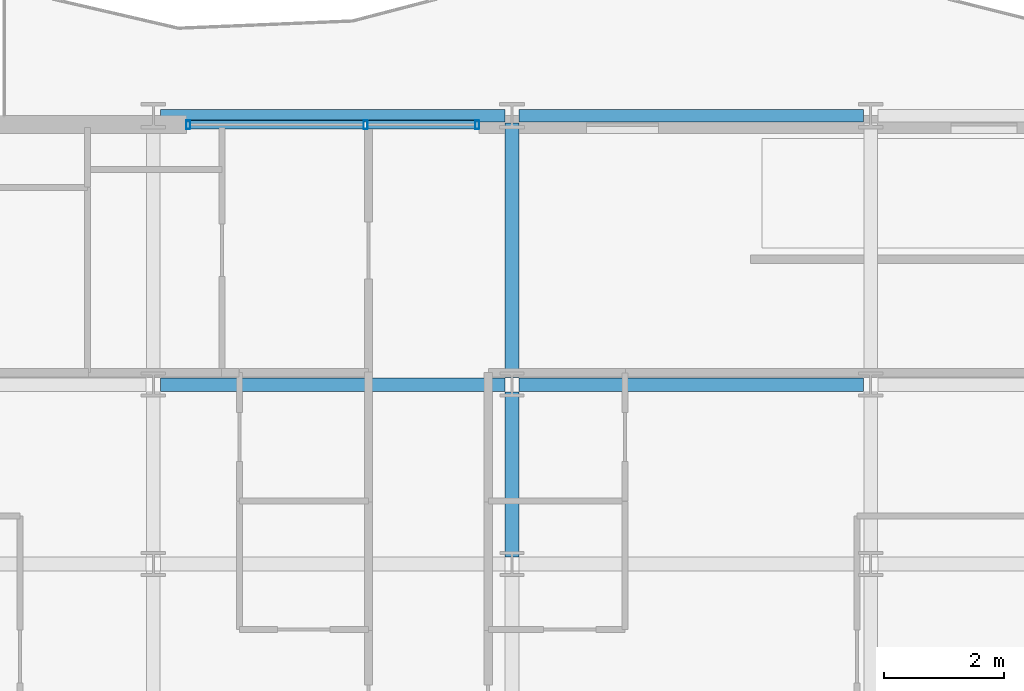
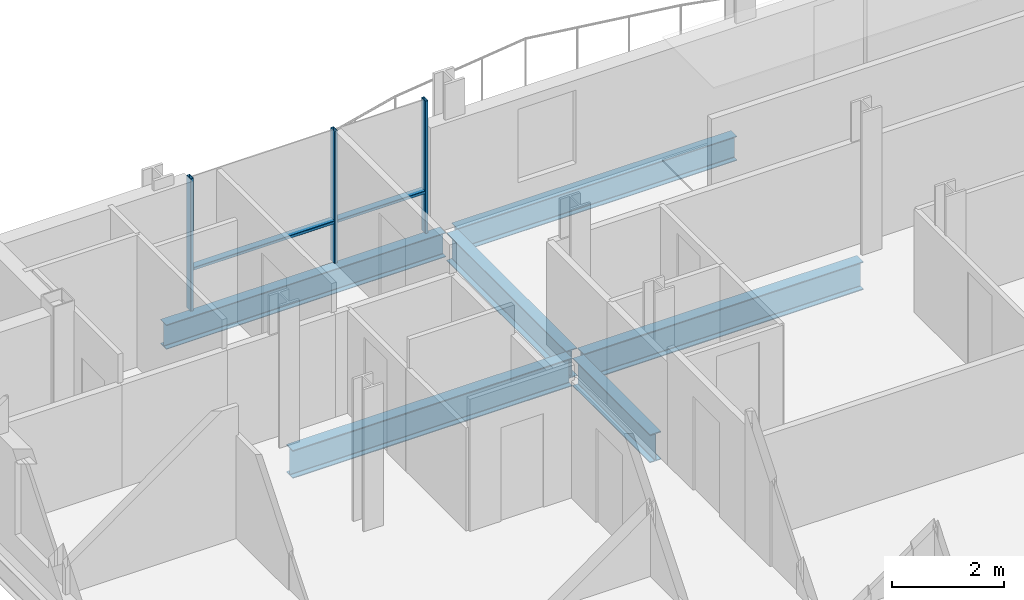
# One storey, part 7 of 39: 6 beams, 5 members, 1 element without a shape of its own.
"""IFC4 building model written with IfcOpenShell, lengths in metres."""

from ifc_helpers import new_model, si_unit, direction, frame, origin, origin_2d, place, context, subcontext, project, spatial, hollow_rectangle, i_section, extrude, material, layer, layer_set, material_profile, profile_set, type_object, element, aggregate, save


model = new_model("IFC4")

# Units and contexts
model_context = context("Model", 3, precision=1e-05, world=origin(), true_north=direction((0.0, 1.0)))
body_context = subcontext(model_context, "Body", "Model", "MODEL_VIEW")
ifc_project = project(units=[si_unit("LENGTHUNIT", "METRE"), si_unit("AREAUNIT", "SQUARE_METRE"), si_unit("VOLUMEUNIT", "CUBIC_METRE"), si_unit("PLANEANGLEUNIT", "RADIAN"), si_unit("MASSUNIT", "GRAM", prefix="KILO")], contexts=[model_context])

# Site, building, storey
site_placement = place(None, origin())
site = spatial("IfcSite", under=ifc_project, at=site_placement, CompositionType="ELEMENT")
building_placement = place(site_placement, origin())
building = spatial("IfcBuilding", under=site, at=building_placement, Name="Brevholm Reach", CompositionType="ELEMENT")
storey_placement = place(building_placement, frame((0.0, 0.0, 109.699951171875)))
storey = spatial("IfcBuildingStorey", under=building, at=storey_placement, Name="L32", CompositionType="ELEMENT", Elevation=109.699951171875)

# Beams
ifc_material_1 = material(Name="Structural Steel S355J2", Category="steel")
ifc_material_profile_1 = material_profile(ifc_material_1, i_section(OverallWidth=0.209228515625, OverallDepth=0.533203125, WebThickness=0.010009765625, FlangeThickness=0.015625, FilletRadius=0.0126953125, at=origin_2d()), Name="UKB 533x210x92")
ifc_profile_set_1 = profile_set([ifc_material_profile_1], Name="Structural Steel S355J2")
beam_type_1 = type_object("IfcBeamType", Name="BM-SP533", PredefinedType="SPANDREL", material=ifc_profile_set_1)
for number, where, z_axis, x_axis, name in (
    (1, (6.1201171875, 31.0, -0.486572265625), (1.0, 0.0, 0.0), (0.0, 1.0, 0.0), "L32 SP-02 Framing Beam"),
    (2, (12.1201171875, 31.0, -0.486572265625), (1.0, 0.0, 0.0), (0.0, 1.0, 0.0), "L32 SP-02 Framing Beam"),
):
    element("IfcBeam", number, at=place(storey_placement, frame(where, z_axis=z_axis, x_axis=x_axis)), inside=storey, type_object=beam_type_1, Name=name, PredefinedType="SPANDREL", context=body_context, shape_type="SweptSolid", body=[
        extrude(i_section(OverallWidth=0.209228515625, OverallDepth=0.533203125, WebThickness=0.010009765625, FlangeThickness=0.015625, FilletRadius=0.0126953125, at=origin_2d()), origin(), (0.0, 0.0, 1.0), 5.759765625),
    ])
ifc_material_2 = material(Name="Structural Steel S355J2", Category="steel")
ifc_material_profile_2 = material_profile(ifc_material_2, i_section(OverallWidth=0.22900390625, OverallDepth=0.6123046875, WebThickness=0.011962890625, FlangeThickness=0.01953125, FilletRadius=0.0126953125, at=origin_2d()), Name="UKB 610x229x125")
ifc_profile_set_2 = profile_set([ifc_material_profile_2], Name="Structural Steel S355J2")
beam_type_2 = type_object("IfcBeamType", Name="BM-SP610", PredefinedType="SPANDREL", material=ifc_profile_set_2)
for number, where, z_axis, x_axis, name in (
    (3, (6.1201171875, 26.5, -0.526123046875), (1.0, 0.0, 0.0), (0.0, 1.0, 0.0), "L32 SP-01 Framing Beam"),
    (4, (12.1201171875, 26.5, -0.526123046875), (1.0, 0.0, 0.0), (0.0, 1.0, 0.0), "L32 SP-01 Framing Beam"),
):
    element("IfcBeam", number, at=place(storey_placement, frame(where, z_axis=z_axis, x_axis=x_axis)), inside=storey, type_object=beam_type_2, Name=name, PredefinedType="SPANDREL", context=body_context, shape_type="SweptSolid", body=[
        extrude(i_section(OverallWidth=0.22900390625, OverallDepth=0.6123046875, WebThickness=0.011962890625, FlangeThickness=0.01953125, FilletRadius=0.0126953125, at=origin_2d()), origin(), (0.0, 0.0, 1.0), 5.759765625),
    ])
beam_1_placement = place(storey_placement, frame((12.0, 23.6201171875, -0.526123046875), z_axis=(0.0, 1.0, 0.0), x_axis=(-1.0, 0.0, 0.0)))
element("IfcBeam", 5, at=beam_1_placement, inside=storey, type_object=beam_type_2, Name="L32 SP-01 Framing Beam", PredefinedType="SPANDREL", context=body_context, shape_type="SweptSolid", body=[
    extrude(i_section(OverallWidth=0.22900390625, OverallDepth=0.6123046875, WebThickness=0.011962890625, FlangeThickness=0.01953125, FilletRadius=0.0126953125, at=origin_2d()), origin(), (0.0, 0.0, 1.0), 2.759765625),
])
beam_2_placement = place(storey_placement, frame((12.0, 26.6201171875, -0.526123046875), z_axis=(0.0, 1.0, 0.0), x_axis=(-1.0, 0.0, 0.0)))
element("IfcBeam", 6, at=beam_2_placement, inside=storey, type_object=beam_type_2, Name="L32 SP-01 Framing Beam", PredefinedType="SPANDREL", context=body_context, shape_type="SweptSolid", body=[
    extrude(i_section(OverallWidth=0.22900390625, OverallDepth=0.6123046875, WebThickness=0.011962890625, FlangeThickness=0.01953125, FilletRadius=0.0126953125, at=origin_2d()), origin(), (0.0, 0.0, 1.0), 4.259765625),
])

# Curtain wall, members
ifc_material_3 = material(Name="Dark Anodised Aluminium 6063-T6 and Solar-Control Glass", Category="aluminium")
ifc_layer = layer(ifc_material_3, 0.14990234375)
ifc_layer_set = layer_set([ifc_layer], Name="Dark Anodised Aluminium 6063-T6 and Solar-Control Glass")
curtain_wall_type = type_object("IfcCurtainWallType", Name="CW-01", PredefinedType="NOTDEFINED", material=ifc_layer_set)
curtain_wall_placement = place(storey_placement, origin())
curtain_wall = element("IfcCurtainWall", 7, at=curtain_wall_placement, inside=storey, type_object=curtain_wall_type, Name="L32 Curtain Wall CW-01", PredefinedType="NOTDEFINED")
ifc_material_4 = material(Name="Dark Anodised Aluminium 6063-T6", Category="aluminium")
ifc_material_profile_3 = material_profile(ifc_material_4, hollow_rectangle(XDim=0.06494140625, YDim=0.14990234375, WallThickness=0.0048828125, InnerFilletRadius=0.0048828125, OuterFilletRadius=0.010009765625, at=origin_2d()), Name="RHS 150x65x5")
ifc_profile_set_3 = profile_set([ifc_material_profile_3], Name="Dark Anodised Aluminium 6063-T6")
member_type_1 = type_object("IfcMemberType", Name="CWM-150", PredefinedType="MULLION", material=ifc_profile_set_3)
member_1_placement = place(storey_placement, frame((6.58251953125, 30.85009765625, 0.0), z_axis=(0.0, 0.0, 1.0), x_axis=(1.0, 0.0, 0.0)))
member_1 = element("IfcMember", 8, at=member_1_placement, type_object=member_type_1, Name="CM-150 Mullion 1", PredefinedType="MULLION", context=body_context, shape_type="SweptSolid", body=[
    extrude(hollow_rectangle(XDim=0.06494140625, YDim=0.14990234375, WallThickness=0.0048828125, InnerFilletRadius=0.0048828125, OuterFilletRadius=0.010009765625, at=origin_2d()), origin(), (0.0, 0.0, 1.0), 2.880126953125),
])
member_2_placement = place(storey_placement, frame((9.550048828125, 30.85009765625, 0.0), z_axis=(0.0, 0.0, 1.0), x_axis=(1.0, 0.0, 0.0)))
member_2 = element("IfcMember", 9, at=member_2_placement, type_object=member_type_1, Name="CM-150 Mullion 2", PredefinedType="MULLION", context=body_context, shape_type="SweptSolid", body=[
    extrude(hollow_rectangle(XDim=0.06494140625, YDim=0.14990234375, WallThickness=0.0048828125, InnerFilletRadius=0.0048828125, OuterFilletRadius=0.010009765625, at=origin_2d()), origin(), (0.0, 0.0, 1.0), 2.880126953125),
])
member_3_placement = place(storey_placement, frame((11.41748046875, 30.85009765625, 0.0), z_axis=(0.0, 0.0, 1.0), x_axis=(1.0, 0.0, 0.0)))
member_3 = element("IfcMember", 10, at=member_3_placement, type_object=member_type_1, Name="CM-150 Mullion 3", PredefinedType="MULLION", context=body_context, shape_type="SweptSolid", body=[
    extrude(hollow_rectangle(XDim=0.06494140625, YDim=0.14990234375, WallThickness=0.0048828125, InnerFilletRadius=0.0048828125, OuterFilletRadius=0.010009765625, at=origin_2d()), origin(), (0.0, 0.0, 1.0), 2.880126953125),
])
ifc_material_5 = material(Name="Dark Anodised Aluminium 6063-T6", Category="aluminium")
ifc_material_profile_4 = material_profile(ifc_material_5, hollow_rectangle(XDim=0.06494140625, YDim=0.14990234375, WallThickness=0.0048828125, InnerFilletRadius=0.0048828125, OuterFilletRadius=0.010009765625, at=origin_2d()), Name="RHS 150x65x5")
ifc_profile_set_4 = profile_set([ifc_material_profile_4], Name="Dark Anodised Aluminium 6063-T6")
member_type_2 = type_object("IfcMemberType", Name="CWT-150", PredefinedType="NOTDEFINED", material=ifc_profile_set_4)
member_4_placement = place(storey_placement, frame((6.614990234375, 30.85009765625, 0.900146484375), z_axis=(1.0, 0.0, 0.0), x_axis=(0.0, 0.0, 1.0)))
member_4 = element("IfcMember", 11, at=member_4_placement, type_object=member_type_2, Name="CT-150 Transom 1.1", ObjectType="TRANSOM", PredefinedType="USERDEFINED", context=body_context, shape_type="SweptSolid", body=[
    extrude(hollow_rectangle(XDim=0.06494140625, YDim=0.14990234375, WallThickness=0.0048828125, InnerFilletRadius=0.0048828125, OuterFilletRadius=0.010009765625, at=origin_2d()), origin(), (0.0, 0.0, 1.0), 2.902587890625),
])
member_5_placement = place(storey_placement, frame((9.58251953125, 30.85009765625, 0.900146484375), z_axis=(1.0, 0.0, 0.0), x_axis=(0.0, 0.0, 1.0)))
member_5 = element("IfcMember", 12, at=member_5_placement, type_object=member_type_2, Name="CT-150 Transom 2.1", ObjectType="TRANSOM", PredefinedType="USERDEFINED", context=body_context, shape_type="SweptSolid", body=[
    extrude(hollow_rectangle(XDim=0.06494140625, YDim=0.14990234375, WallThickness=0.0048828125, InnerFilletRadius=0.0048828125, OuterFilletRadius=0.010009765625, at=origin_2d()), origin(), (0.0, 0.0, 1.0), 1.802490234375),
])
aggregate(curtain_wall, [member_1, member_2, member_3, member_4, member_5])

save(model, "model.ifc")
